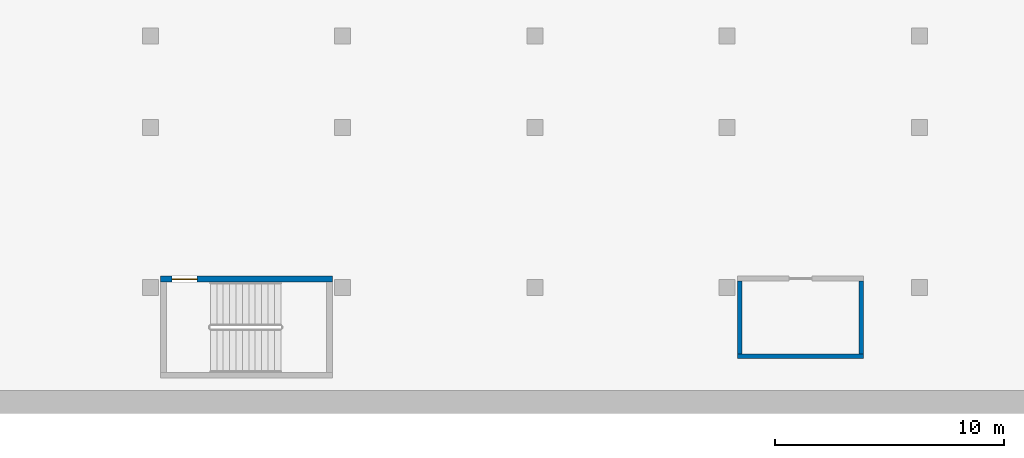
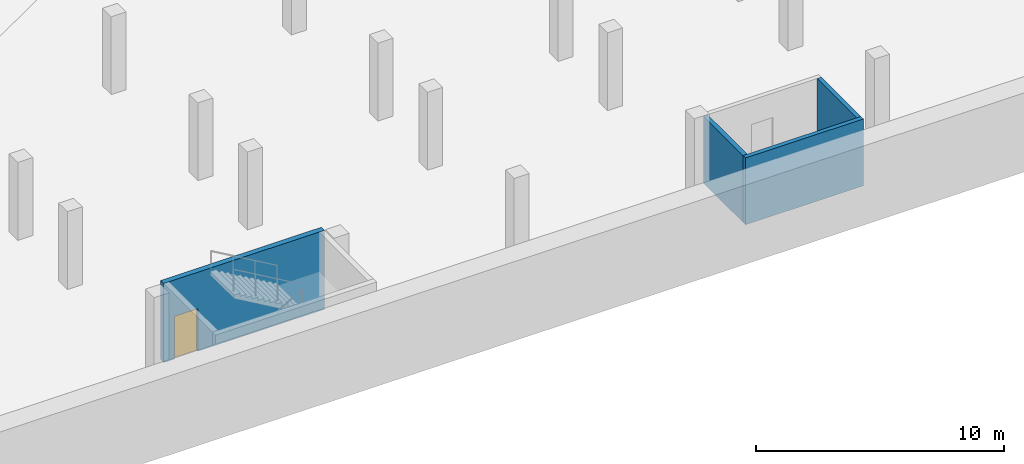
# One storey, part 3 of 25: 4 walls, 1 door, 1 opening.
"""IFC4 building model written with IfcOpenShell, lengths in metres."""

from ifc_helpers import new_model, si_unit, direction, frame, frame_2d, origin, place, context, subcontext, project, spatial, rectangle, extrude, material, layer, layer_set, type_object, element, fill, save


model = new_model("IFC4")

# Units and contexts
model_context = context("Model", 3, precision=1e-05, world=origin(), true_north=direction((0.0, 1.0)))
body_context = subcontext(model_context, "Body", "Model", "MODEL_VIEW")
ifc_project = project(units=[si_unit("LENGTHUNIT", "METRE"), si_unit("AREAUNIT", "SQUARE_METRE"), si_unit("VOLUMEUNIT", "CUBIC_METRE"), si_unit("PLANEANGLEUNIT", "RADIAN"), si_unit("MASSUNIT", "GRAM", prefix="KILO")], contexts=[model_context])

# Site, building, storey
site_placement = place(None, origin())
site = spatial("IfcSite", under=ifc_project, at=site_placement, CompositionType="ELEMENT")
building_placement = place(site_placement, origin())
building = spatial("IfcBuilding", under=site, at=building_placement, Name="Verdalira Terraces Hotel", CompositionType="ELEMENT")
storey_placement = place(building_placement, frame((0.0, 0.0, -3.899902)))
storey = spatial("IfcBuildingStorey", under=building, at=storey_placement, Name="B1", CompositionType="ELEMENT", Elevation=-3.89990234375)

# Walls
ifc_material_1 = material(Name="Concrete C40", Category="concrete")
ifc_layer_1 = layer(ifc_material_1, 0.199951171875)
ifc_layer_set_1 = layer_set([ifc_layer_1], Name="Service room wall 200 C40")
wall_type_1 = type_object("IfcWallType", Name="Service room wall 200 C40", PredefinedType="PARTITIONING", material=ifc_layer_set_1)
wall_1_placement = place(storey_placement, frame((-7.949951, -51.5, 0.0), z_axis=(0.0, 0.0, 1.0), x_axis=(1.0, 0.0, 0.0)))
element("IfcWall", 1, at=wall_1_placement, inside=storey, type_object=wall_type_1, Name="Valet office wall", PredefinedType="PARTITIONING", context=body_context, shape_type="SweptSolid", body=[
    extrude(rectangle(XDim=5.5, YDim=0.199951, at=frame_2d((2.75, 0.0))), origin(), (0.0, 0.0, 1.0), 3.299805),
])
for number, where, z_axis, x_axis, name in (
    (2, (-7.850098, -51.399902, 0.0), (0.0, 0.0, 1.0), (0.0, 1.0, 0.0), "Valet office wall"),
    (3, (-2.550049, -51.399902, 0.0), (0.0, 0.0, 1.0), (0.0, 1.0, 0.0), "Valet office wall"),
):
    element("IfcWall", number, at=place(storey_placement, frame(where, z_axis=z_axis, x_axis=x_axis)), inside=storey, type_object=wall_type_1, Name=name, PredefinedType="PARTITIONING", context=body_context, shape_type="SweptSolid", body=[
        extrude(rectangle(XDim=3.199951, YDim=0.199951, at=frame_2d((1.600098, 0.0))), origin(), (0.0, 0.0, 1.0), 3.299805),
    ])

# Wall, opening, door
ifc_material_2 = material(Name="Concrete C40", Category="concrete")
ifc_layer_2 = layer(ifc_material_2, 0.25)
ifc_layer_set_2 = layer_set([ifc_layer_2], Name="Stair enclosure wall 250 C40")
wall_type_2 = type_object("IfcWallType", Name="Stair enclosure wall 250 C40", PredefinedType="SOLIDWALL", material=ifc_layer_set_2)
wall_2_placement = place(storey_placement, frame((-33.149902, -48.125, 0.0), z_axis=(0.0, 0.0, 1.0), x_axis=(1.0, 0.0, 0.0)))
wall_2 = element("IfcWall", 4, at=wall_2_placement, inside=storey, type_object=wall_type_2, Name="Stair BS1 enclosure wall", PredefinedType="SOLIDWALL", context=body_context, shape_type="SweptSolid", body=[
    extrude(rectangle(XDim=7.5, YDim=0.25, at=frame_2d((3.75, 0.0))), origin(), (0.0, 0.0, 1.0), 3.899902),
])
opening_placement = place(wall_2_placement, frame((0.5, 0.0, 0.0)))
opening = element("IfcOpeningElement", 5, at=opening_placement, cuts=wall_2, Name="Opening B1-D601", PredefinedType="OPENING", context=body_context, shape_type="SweptSolid", body=[
    extrude(rectangle(XDim=1.100098, YDim=2.100098, at=frame_2d((0.550049, 1.050049))), frame((0.0, 0.13501, 0.0), z_axis=(0.0, -1.0, 0.0), x_axis=(1.0, 0.0, 0.0)), (0.0, 0.0, 1.0), 0.27002),
])
ifc_material_3 = material(Name="Steel fire door", Category="steel")
door_type = type_object("IfcDoorType", Name="Stair door 1100 x 2100", OperationType="SINGLE_SWING_LEFT", PredefinedType="DOOR", material=ifc_material_3)
door_placement = place(opening_placement, origin())
door = element("IfcDoor", 6, at=door_placement, inside=storey, type_object=door_type, Name="Stair BS1 door", OperationType="SINGLE_SWING_RIGHT", OverallHeight=2.10009765625, OverallWidth=1.10009765625, PredefinedType="DOOR", context=body_context, shape_type="SweptSolid", body=[
    extrude(rectangle(XDim=1.100098, YDim=2.100098, at=frame_2d((0.550049, 1.050049))), frame((0.0, 0.024902, 0.0), z_axis=(0.0, -1.0, 0.0), x_axis=(1.0, 0.0, 0.0)), (0.0, 0.0, 1.0), 0.050049),
])
fill(opening, door)

save(model, "model.ifc")
